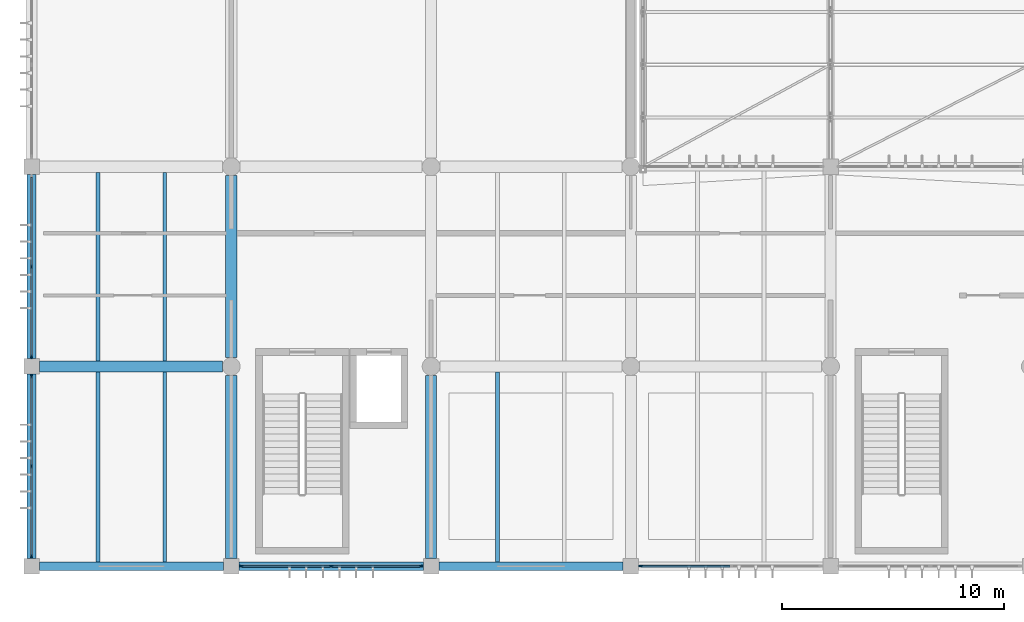
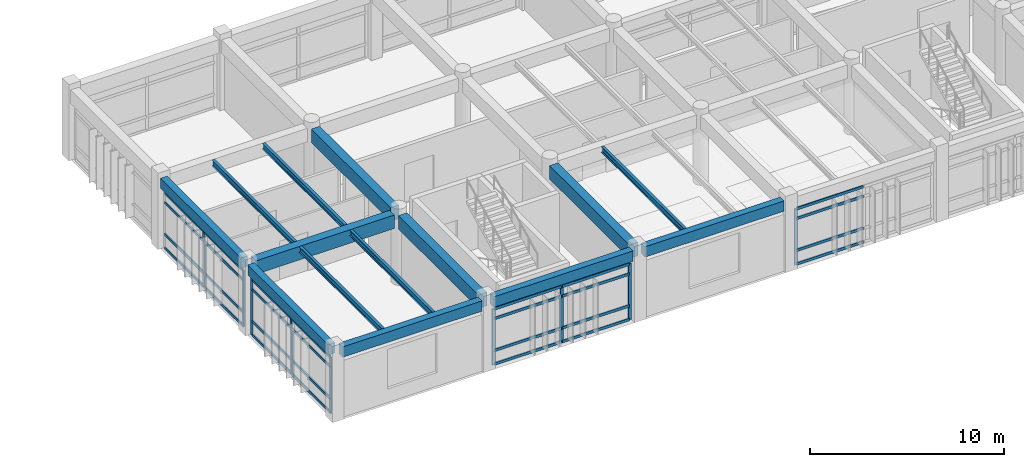
# One storey, part 13 of 90: 37 members, 14 beams, 4 elements without a shape of their own.
"""IFC4 building model written with IfcOpenShell, lengths in metres."""

from ifc_helpers import new_model, si_unit, direction, frame, origin, origin_2d, place, context, subcontext, project, spatial, rectangle, i_section, extrude, material, material_profile, profile_set, type_object, element, aggregate, save


model = new_model("IFC4")

# Units and contexts
model_context = context("Model", 3, precision=1e-05, world=origin(), true_north=direction((0.0, 1.0)))
body_context = subcontext(model_context, "Body", "Model", "MODEL_VIEW")
ifc_project = project(units=[si_unit("LENGTHUNIT", "METRE"), si_unit("AREAUNIT", "SQUARE_METRE"), si_unit("VOLUMEUNIT", "CUBIC_METRE"), si_unit("PLANEANGLEUNIT", "RADIAN"), si_unit("MASSUNIT", "GRAM", prefix="KILO")], contexts=[model_context])

# Site, building, storey
site_placement = place(None, origin())
site = spatial("IfcSite", under=ifc_project, at=site_placement, CompositionType="ELEMENT")
building_placement = place(site_placement, origin())
building = spatial("IfcBuilding", under=site, at=building_placement, Name="Bozkorgan Art Gallery", CompositionType="ELEMENT")
storey_placement = place(building_placement, frame((0.0, 0.0, 5.39990234375)))
storey = spatial("IfcBuildingStorey", under=building, at=storey_placement, Name="L01", CompositionType="ELEMENT", Elevation=5.39990234375)

# Beams
ifc_material_1 = material(Name="Concrete C35/45", Category="concrete")
ifc_material_profile_1 = material_profile(ifc_material_1, rectangle(XDim=0.5, YDim=0.85009765625, at=origin_2d()), Name="RC 500x850")
ifc_profile_set_1 = profile_set([ifc_material_profile_1], Name="Concrete C35/45")
beam_type_1 = type_object("IfcBeamType", Name="BEAM-BM-01", PredefinedType="BEAM", material=ifc_profile_set_1)
for number, where, z_axis, x_axis, name in (
    (1, (2.35009765625, 11.0, 4.01513671875), (1.0, 0.0, 0.0), (0.0, 1.0, 0.0), "V1 L01 beam X (2-11, 11.0)"),
    (2, (11.0, 2.35009765625, 4.01513671875), (0.0, 1.0, 0.0), (-1.0, 0.0, 0.0), "V1 L01 beam Y (11, 2.0-11.0)"),
):
    element("IfcBeam", number, at=place(storey_placement, frame(where, z_axis=z_axis, x_axis=x_axis)), inside=storey, type_object=beam_type_1, Name=name, PredefinedType="BEAM", context=body_context, shape_type="SweptSolid", body=[
        extrude(rectangle(XDim=0.5, YDim=0.85009765625, at=origin_2d()), origin(), (0.0, 0.0, 1.0), 8.25),
    ])
beam_1_placement = place(storey_placement, frame((11.0, 11.39990234375, 4.01513671875), z_axis=(0.0, 1.0, 0.0), x_axis=(-1.0, 0.0, 0.0)))
element("IfcBeam", 3, at=beam_1_placement, inside=storey, type_object=beam_type_1, Name="V1 L01 beam Y (11, 11.0-20.0)", PredefinedType="BEAM", context=body_context, shape_type="SweptSolid", body=[
    extrude(rectangle(XDim=0.5, YDim=0.85009765625, at=origin_2d()), origin(), (0.0, 0.0, 1.0), 8.2001953125),
])
beam_2_placement = place(storey_placement, frame((20.0, 2.35009765625, 4.01513671875), z_axis=(0.0, 1.0, 0.0), x_axis=(-1.0, 0.0, 0.0)))
element("IfcBeam", 4, at=beam_2_placement, inside=storey, type_object=beam_type_1, Name="V1 L01 beam Y (20, 2.0-11.0)", PredefinedType="BEAM", context=body_context, shape_type="SweptSolid", body=[
    extrude(rectangle(XDim=0.5, YDim=0.85009765625, at=origin_2d()), origin(), (0.0, 0.0, 1.0), 8.25),
])
ifc_material_2 = material(Name="Steel S355J2", Category="steel")
ifc_material_profile_2 = material_profile(ifc_material_2, i_section(OverallWidth=0.169921875, OverallDepth=0.360107421875, WebThickness=0.008056640625, FlangeThickness=0.0126953125, FilletRadius=0.01806640625, at=origin_2d()), Name="IPE 360")
ifc_profile_set_2 = profile_set([ifc_material_profile_2], Name="Steel S355J2")
beam_type_2 = type_object("IfcBeamType", Name="BEAM-JS-98", PredefinedType="JOIST", material=ifc_profile_set_2)
for number, where, z_axis, x_axis, name in (
    (5, (5.0, 2.199951171875, 4.260009765625), (0.0, 1.0, 0.0), (-1.0, 0.0, 0.0), "V1 L01 secondary joist (2-11, 2.0-11.0) #1"),
    (6, (8.0, 2.199951171875, 4.260009765625), (0.0, 1.0, 0.0), (-1.0, 0.0, 0.0), "V1 L01 secondary joist (2-11, 2.0-11.0) #2"),
):
    element("IfcBeam", number, at=place(storey_placement, frame(where, z_axis=z_axis, x_axis=x_axis)), inside=storey, type_object=beam_type_2, Name=name, PredefinedType="JOIST", context=body_context, shape_type="SweptSolid", body=[
        extrude(i_section(OverallWidth=0.169921875, OverallDepth=0.360107421875, WebThickness=0.008056640625, FlangeThickness=0.0126953125, FilletRadius=0.01806640625, at=origin_2d()), origin(), (0.0, 0.0, 1.0), 8.550048828125),
    ])
for number, where, z_axis, x_axis, name in (
    (7, (5.0, 11.25, 4.260009765625), (0.0, 1.0, 0.0), (-1.0, 0.0, 0.0), "V1 L01 secondary joist (2-11, 11.0-20.0) #1"),
    (8, (8.0, 11.25, 4.260009765625), (0.0, 1.0, 0.0), (-1.0, 0.0, 0.0), "V1 L01 secondary joist (2-11, 11.0-20.0) #2"),
):
    element("IfcBeam", number, at=place(storey_placement, frame(where, z_axis=z_axis, x_axis=x_axis)), inside=storey, type_object=beam_type_2, Name=name, PredefinedType="JOIST", context=body_context, shape_type="SweptSolid", body=[
        extrude(i_section(OverallWidth=0.169921875, OverallDepth=0.360107421875, WebThickness=0.008056640625, FlangeThickness=0.0126953125, FilletRadius=0.01806640625, at=origin_2d()), origin(), (0.0, 0.0, 1.0), 8.5),
    ])
beam_3_placement = place(storey_placement, frame((23.0, 2.199951171875, 4.260009765625), z_axis=(0.0, 1.0, 0.0), x_axis=(-1.0, 0.0, 0.0)))
element("IfcBeam", 9, at=beam_3_placement, inside=storey, type_object=beam_type_2, Name="V1 L01 secondary joist (20-29, 2.0-11.0) #1", PredefinedType="JOIST", context=body_context, shape_type="SweptSolid", body=[
    extrude(i_section(OverallWidth=0.169921875, OverallDepth=0.360107421875, WebThickness=0.008056640625, FlangeThickness=0.0126953125, FilletRadius=0.01806640625, at=origin_2d()), origin(), (0.0, 0.0, 1.0), 8.550048828125),
])
ifc_material_profile_3 = material_profile(ifc_material_1, rectangle(XDim=0.39990234375, YDim=0.64990234375, at=origin_2d()), Name="RC 400x650")
ifc_profile_set_3 = profile_set([ifc_material_profile_3], Name="Concrete C35/45")
beam_type_3 = type_object("IfcBeamType", Name="BEAM-SP-69", PredefinedType="SPANDREL", material=ifc_profile_set_3)
for number, where, z_axis, x_axis, name in (
    (10, (2.35009765625, 2.0, 4.114990234375), (1.0, 0.0, 0.0), (0.0, 1.0, 0.0), "V1 L01 spandrel X (2-11, 2.0)"),
    (11, (11.35009765625, 2.0, 4.114990234375), (1.0, 0.0, 0.0), (0.0, 1.0, 0.0), "V1 L01 spandrel X (11-20, 2.0)"),
    (12, (20.35009765625, 2.0, 4.114990234375), (1.0, 0.0, 0.0), (0.0, 1.0, 0.0), "V1 L01 spandrel X (20-29, 2.0)"),
    (13, (2.0, 2.35009765625, 4.114990234375), (0.0, 1.0, 0.0), (-1.0, 0.0, 0.0), "V1 L01 spandrel Y (2, 2.0-11.0)"),
    (14, (2.0, 11.35009765625, 4.114990234375), (0.0, 1.0, 0.0), (-1.0, 0.0, 0.0), "V1 L01 spandrel Y (2, 11.0-20.0)"),
):
    element("IfcBeam", number, at=place(storey_placement, frame(where, z_axis=z_axis, x_axis=x_axis)), inside=storey, type_object=beam_type_3, Name=name, PredefinedType="SPANDREL", context=body_context, shape_type="SweptSolid", body=[
        extrude(rectangle(XDim=0.39990234375, YDim=0.64990234375, at=origin_2d()), origin(), (0.0, 0.0, 1.0), 8.2998046875),
    ])

# Curtain wall, members
ifc_material_3 = material(Name="Anodised Bronze Aluminium", Category="aluminium")
curtain_wall_type = type_object("IfcCurtainWallType", Name="CW-CW-94", PredefinedType="NOTDEFINED", material=ifc_material_3)
curtain_wall_1_placement = place(storey_placement, origin())
curtain_wall_1 = element("IfcCurtainWall", 15, at=curtain_wall_1_placement, inside=storey, type_object=curtain_wall_type, Name="L01 unitised curtain wall CW-V1-L01-1S-02", PredefinedType="NOTDEFINED")
ifc_material_profile_4 = material_profile(ifc_material_3, rectangle(XDim=0.06494140625, YDim=0.179931640625, at=origin_2d()), Name="ALU MULLION 65x180")
ifc_profile_set_4 = profile_set([ifc_material_profile_4], Name="Anodised Bronze Aluminium")
member_type_1 = type_object("IfcMemberType", Name="CWM-01", PredefinedType="MULLION", material=ifc_profile_set_4)
member_1_placement = place(storey_placement, frame((11.447509765625, 2.0, 0.02001953125), z_axis=(0.0, 0.0, 1.0), x_axis=(0.0, 1.0, 0.0)))
member_1 = element("IfcMember", 16, at=member_1_placement, type_object=member_type_1, Name="CW-94 mullion 1", PredefinedType="MULLION", context=body_context, shape_type="SweptSolid", body=[
    extrude(rectangle(XDim=0.06494140625, YDim=0.179931640625, at=origin_2d()), origin(), (0.0, 0.0, 1.0), 3.55517578125),
])
member_2_placement = place(storey_placement, frame((15.5, 2.0, 0.02001953125), z_axis=(0.0, 0.0, 1.0), x_axis=(0.0, 1.0, 0.0)))
member_2 = element("IfcMember", 17, at=member_2_placement, type_object=member_type_1, Name="CW-94 mullion 2", PredefinedType="MULLION", context=body_context, shape_type="SweptSolid", body=[
    extrude(rectangle(XDim=0.06494140625, YDim=0.179931640625, at=origin_2d()), origin(), (0.0, 0.0, 1.0), 3.55517578125),
])
member_3_placement = place(storey_placement, frame((19.552490234375, 2.0, 0.02001953125), z_axis=(0.0, 0.0, 1.0), x_axis=(0.0, 1.0, 0.0)))
member_3 = element("IfcMember", 18, at=member_3_placement, type_object=member_type_1, Name="CW-94 mullion 3", PredefinedType="MULLION", context=body_context, shape_type="SweptSolid", body=[
    extrude(rectangle(XDim=0.06494140625, YDim=0.179931640625, at=origin_2d()), origin(), (0.0, 0.0, 1.0), 3.55517578125),
])

# Curtain wall, member
curtain_wall_2_placement = place(storey_placement, origin())
curtain_wall_2 = element("IfcCurtainWall", 19, at=curtain_wall_2_placement, inside=storey, type_object=curtain_wall_type, Name="L01 unitised curtain wall CW-V1-L01-1S-04", PredefinedType="NOTDEFINED")
member_4_placement = place(storey_placement, frame((29.447509765625, 2.0, 0.02001953125), z_axis=(0.0, 0.0, 1.0), x_axis=(0.0, 1.0, 0.0)))
member_4 = element("IfcMember", 20, at=member_4_placement, type_object=member_type_1, Name="CW-94 mullion 1", PredefinedType="MULLION", context=body_context, shape_type="SweptSolid", body=[
    extrude(rectangle(XDim=0.06494140625, YDim=0.179931640625, at=origin_2d()), origin(), (0.0, 0.0, 1.0), 3.55517578125),
])

# Curtain wall, members
curtain_wall_3_placement = place(storey_placement, origin())
curtain_wall_3 = element("IfcCurtainWall", 21, at=curtain_wall_3_placement, inside=storey, type_object=curtain_wall_type, Name="L01 unitised curtain wall CW-V1-L01-1W-12", PredefinedType="NOTDEFINED")
member_5_placement = place(storey_placement, frame((2.0, 2.447509765625, 0.02001953125), z_axis=(0.0, 0.0, 1.0), x_axis=(-1.0, 0.0, 0.0)))
member_5 = element("IfcMember", 22, at=member_5_placement, type_object=member_type_1, Name="CW-94 mullion 1", PredefinedType="MULLION", context=body_context, shape_type="SweptSolid", body=[
    extrude(rectangle(XDim=0.06494140625, YDim=0.179931640625, at=origin_2d()), origin(), (0.0, 0.0, 1.0), 3.55517578125),
])
member_6_placement = place(storey_placement, frame((2.0, 6.5, 0.02001953125), z_axis=(0.0, 0.0, 1.0), x_axis=(-1.0, 0.0, 0.0)))
member_6 = element("IfcMember", 23, at=member_6_placement, type_object=member_type_1, Name="CW-94 mullion 2", PredefinedType="MULLION", context=body_context, shape_type="SweptSolid", body=[
    extrude(rectangle(XDim=0.06494140625, YDim=0.179931640625, at=origin_2d()), origin(), (0.0, 0.0, 1.0), 3.55517578125),
])
member_7_placement = place(storey_placement, frame((2.0, 10.552490234375, 0.02001953125), z_axis=(0.0, 0.0, 1.0), x_axis=(-1.0, 0.0, 0.0)))
member_7 = element("IfcMember", 24, at=member_7_placement, type_object=member_type_1, Name="CW-94 mullion 3", PredefinedType="MULLION", context=body_context, shape_type="SweptSolid", body=[
    extrude(rectangle(XDim=0.06494140625, YDim=0.179931640625, at=origin_2d()), origin(), (0.0, 0.0, 1.0), 3.55517578125),
])

curtain_wall_4_placement = place(storey_placement, origin())
curtain_wall_4 = element("IfcCurtainWall", 25, at=curtain_wall_4_placement, inside=storey, type_object=curtain_wall_type, Name="L01 unitised curtain wall CW-V1-L01-1W-14", PredefinedType="NOTDEFINED")
member_8_placement = place(storey_placement, frame((2.0, 11.447509765625, 0.02001953125), z_axis=(0.0, 0.0, 1.0), x_axis=(-1.0, 0.0, 0.0)))
member_8 = element("IfcMember", 26, at=member_8_placement, type_object=member_type_1, Name="CW-94 mullion 1", PredefinedType="MULLION", context=body_context, shape_type="SweptSolid", body=[
    extrude(rectangle(XDim=0.06494140625, YDim=0.179931640625, at=origin_2d()), origin(), (0.0, 0.0, 1.0), 3.55517578125),
])
member_9_placement = place(storey_placement, frame((2.0, 15.5, 0.02001953125), z_axis=(0.0, 0.0, 1.0), x_axis=(-1.0, 0.0, 0.0)))
member_9 = element("IfcMember", 27, at=member_9_placement, type_object=member_type_1, Name="CW-94 mullion 2", PredefinedType="MULLION", context=body_context, shape_type="SweptSolid", body=[
    extrude(rectangle(XDim=0.06494140625, YDim=0.179931640625, at=origin_2d()), origin(), (0.0, 0.0, 1.0), 3.55517578125),
])

# Member
ifc_material_profile_5 = material_profile(ifc_material_3, rectangle(XDim=0.074951171875, YDim=0.169921875, at=origin_2d()), Name="ALU TRANSOM 75x170")
ifc_profile_set_5 = profile_set([ifc_material_profile_5], Name="Anodised Bronze Aluminium")
member_type_2 = type_object("IfcMemberType", Name="CWT-02", PredefinedType="USERDEFINED", material=ifc_profile_set_5)
member_10_placement = place(storey_placement, frame((11.47998046875, 2.0, 0.0576171875), z_axis=(1.0, 0.0, 0.0), x_axis=(0.0, 1.0, 0.0)))
member_10 = element("IfcMember", 28, at=member_10_placement, type_object=member_type_2, Name="CW-94 transom 1.1", ObjectType="TRANSOM", PredefinedType="USERDEFINED", context=body_context, shape_type="SweptSolid", body=[
    extrude(rectangle(XDim=0.074951171875, YDim=0.169921875, at=origin_2d()), origin(), (0.0, 0.0, 1.0), 3.987548828125),
])

member_11_placement = place(storey_placement, frame((11.47998046875, 2.0, 0.920166015625), z_axis=(1.0, 0.0, 0.0), x_axis=(0.0, 1.0, 0.0)))
member_11 = element("IfcMember", 29, at=member_11_placement, type_object=member_type_2, Name="CW-94 transom 1.2", ObjectType="TRANSOM", PredefinedType="USERDEFINED", context=body_context, shape_type="SweptSolid", body=[
    extrude(rectangle(XDim=0.074951171875, YDim=0.169921875, at=origin_2d()), origin(), (0.0, 0.0, 1.0), 3.987548828125),
])

member_12_placement = place(storey_placement, frame((11.47998046875, 2.0, 2.925048828125), z_axis=(1.0, 0.0, 0.0), x_axis=(0.0, 1.0, 0.0)))
member_12 = element("IfcMember", 30, at=member_12_placement, type_object=member_type_2, Name="CW-94 transom 1.3", ObjectType="TRANSOM", PredefinedType="USERDEFINED", context=body_context, shape_type="SweptSolid", body=[
    extrude(rectangle(XDim=0.074951171875, YDim=0.169921875, at=origin_2d()), origin(), (0.0, 0.0, 1.0), 3.987548828125),
])

member_13_placement = place(storey_placement, frame((11.47998046875, 2.0, 3.53759765625), z_axis=(1.0, 0.0, 0.0), x_axis=(0.0, 1.0, 0.0)))
member_13 = element("IfcMember", 31, at=member_13_placement, type_object=member_type_2, Name="CW-94 transom 1.4", ObjectType="TRANSOM", PredefinedType="USERDEFINED", context=body_context, shape_type="SweptSolid", body=[
    extrude(rectangle(XDim=0.074951171875, YDim=0.169921875, at=origin_2d()), origin(), (0.0, 0.0, 1.0), 3.987548828125),
])

member_14_placement = place(storey_placement, frame((15.532470703125, 2.0, 0.0576171875), z_axis=(1.0, 0.0, 0.0), x_axis=(0.0, 1.0, 0.0)))
member_14 = element("IfcMember", 32, at=member_14_placement, type_object=member_type_2, Name="CW-94 transom 2.1", ObjectType="TRANSOM", PredefinedType="USERDEFINED", context=body_context, shape_type="SweptSolid", body=[
    extrude(rectangle(XDim=0.074951171875, YDim=0.169921875, at=origin_2d()), origin(), (0.0, 0.0, 1.0), 3.987548828125),
])

member_15_placement = place(storey_placement, frame((15.532470703125, 2.0, 0.920166015625), z_axis=(1.0, 0.0, 0.0), x_axis=(0.0, 1.0, 0.0)))
member_15 = element("IfcMember", 33, at=member_15_placement, type_object=member_type_2, Name="CW-94 transom 2.2", ObjectType="TRANSOM", PredefinedType="USERDEFINED", context=body_context, shape_type="SweptSolid", body=[
    extrude(rectangle(XDim=0.074951171875, YDim=0.169921875, at=origin_2d()), origin(), (0.0, 0.0, 1.0), 3.987548828125),
])

member_16_placement = place(storey_placement, frame((15.532470703125, 2.0, 2.925048828125), z_axis=(1.0, 0.0, 0.0), x_axis=(0.0, 1.0, 0.0)))
member_16 = element("IfcMember", 34, at=member_16_placement, type_object=member_type_2, Name="CW-94 transom 2.3", ObjectType="TRANSOM", PredefinedType="USERDEFINED", context=body_context, shape_type="SweptSolid", body=[
    extrude(rectangle(XDim=0.074951171875, YDim=0.169921875, at=origin_2d()), origin(), (0.0, 0.0, 1.0), 3.987548828125),
])

member_17_placement = place(storey_placement, frame((15.532470703125, 2.0, 3.53759765625), z_axis=(1.0, 0.0, 0.0), x_axis=(0.0, 1.0, 0.0)))
member_17 = element("IfcMember", 35, at=member_17_placement, type_object=member_type_2, Name="CW-94 transom 2.4", ObjectType="TRANSOM", PredefinedType="USERDEFINED", context=body_context, shape_type="SweptSolid", body=[
    extrude(rectangle(XDim=0.074951171875, YDim=0.169921875, at=origin_2d()), origin(), (0.0, 0.0, 1.0), 3.987548828125),
])

aggregate(curtain_wall_1, [member_1, member_2, member_3, member_10, member_11, member_12, member_13, member_14, member_15, member_16, member_17])

member_18_placement = place(storey_placement, frame((29.47998046875, 2.0, 0.0576171875), z_axis=(1.0, 0.0, 0.0), x_axis=(0.0, 1.0, 0.0)))
member_18 = element("IfcMember", 36, at=member_18_placement, type_object=member_type_2, Name="CW-94 transom 1.1", ObjectType="TRANSOM", PredefinedType="USERDEFINED", context=body_context, shape_type="SweptSolid", body=[
    extrude(rectangle(XDim=0.074951171875, YDim=0.169921875, at=origin_2d()), origin(), (0.0, 0.0, 1.0), 3.987548828125),
])

member_19_placement = place(storey_placement, frame((29.47998046875, 2.0, 0.920166015625), z_axis=(1.0, 0.0, 0.0), x_axis=(0.0, 1.0, 0.0)))
member_19 = element("IfcMember", 37, at=member_19_placement, type_object=member_type_2, Name="CW-94 transom 1.2", ObjectType="TRANSOM", PredefinedType="USERDEFINED", context=body_context, shape_type="SweptSolid", body=[
    extrude(rectangle(XDim=0.074951171875, YDim=0.169921875, at=origin_2d()), origin(), (0.0, 0.0, 1.0), 3.987548828125),
])

member_20_placement = place(storey_placement, frame((29.47998046875, 2.0, 2.925048828125), z_axis=(1.0, 0.0, 0.0), x_axis=(0.0, 1.0, 0.0)))
member_20 = element("IfcMember", 38, at=member_20_placement, type_object=member_type_2, Name="CW-94 transom 1.3", ObjectType="TRANSOM", PredefinedType="USERDEFINED", context=body_context, shape_type="SweptSolid", body=[
    extrude(rectangle(XDim=0.074951171875, YDim=0.169921875, at=origin_2d()), origin(), (0.0, 0.0, 1.0), 3.987548828125),
])

member_21_placement = place(storey_placement, frame((29.47998046875, 2.0, 3.53759765625), z_axis=(1.0, 0.0, 0.0), x_axis=(0.0, 1.0, 0.0)))
member_21 = element("IfcMember", 39, at=member_21_placement, type_object=member_type_2, Name="CW-94 transom 1.4", ObjectType="TRANSOM", PredefinedType="USERDEFINED", context=body_context, shape_type="SweptSolid", body=[
    extrude(rectangle(XDim=0.074951171875, YDim=0.169921875, at=origin_2d()), origin(), (0.0, 0.0, 1.0), 3.987548828125),
])

aggregate(curtain_wall_2, [member_4, member_18, member_19, member_20, member_21])

member_22_placement = place(storey_placement, frame((2.0, 2.47998046875, 0.0576171875), z_axis=(0.0, 1.0, 0.0), x_axis=(-1.0, 0.0, 0.0)))
member_22 = element("IfcMember", 40, at=member_22_placement, type_object=member_type_2, Name="CW-94 transom 1.1", ObjectType="TRANSOM", PredefinedType="USERDEFINED", context=body_context, shape_type="SweptSolid", body=[
    extrude(rectangle(XDim=0.074951171875, YDim=0.169921875, at=origin_2d()), origin(), (0.0, 0.0, 1.0), 3.987548828125),
])

member_23_placement = place(storey_placement, frame((2.0, 2.47998046875, 0.920166015625), z_axis=(0.0, 1.0, 0.0), x_axis=(-1.0, 0.0, 0.0)))
member_23 = element("IfcMember", 41, at=member_23_placement, type_object=member_type_2, Name="CW-94 transom 1.2", ObjectType="TRANSOM", PredefinedType="USERDEFINED", context=body_context, shape_type="SweptSolid", body=[
    extrude(rectangle(XDim=0.074951171875, YDim=0.169921875, at=origin_2d()), origin(), (0.0, 0.0, 1.0), 3.987548828125),
])

member_24_placement = place(storey_placement, frame((2.0, 2.47998046875, 2.925048828125), z_axis=(0.0, 1.0, 0.0), x_axis=(-1.0, 0.0, 0.0)))
member_24 = element("IfcMember", 42, at=member_24_placement, type_object=member_type_2, Name="CW-94 transom 1.3", ObjectType="TRANSOM", PredefinedType="USERDEFINED", context=body_context, shape_type="SweptSolid", body=[
    extrude(rectangle(XDim=0.074951171875, YDim=0.169921875, at=origin_2d()), origin(), (0.0, 0.0, 1.0), 3.987548828125),
])

member_25_placement = place(storey_placement, frame((2.0, 2.47998046875, 3.53759765625), z_axis=(0.0, 1.0, 0.0), x_axis=(-1.0, 0.0, 0.0)))
member_25 = element("IfcMember", 43, at=member_25_placement, type_object=member_type_2, Name="CW-94 transom 1.4", ObjectType="TRANSOM", PredefinedType="USERDEFINED", context=body_context, shape_type="SweptSolid", body=[
    extrude(rectangle(XDim=0.074951171875, YDim=0.169921875, at=origin_2d()), origin(), (0.0, 0.0, 1.0), 3.987548828125),
])

member_26_placement = place(storey_placement, frame((2.0, 6.532470703125, 0.0576171875), z_axis=(0.0, 1.0, 0.0), x_axis=(-1.0, 0.0, 0.0)))
member_26 = element("IfcMember", 44, at=member_26_placement, type_object=member_type_2, Name="CW-94 transom 2.1", ObjectType="TRANSOM", PredefinedType="USERDEFINED", context=body_context, shape_type="SweptSolid", body=[
    extrude(rectangle(XDim=0.074951171875, YDim=0.169921875, at=origin_2d()), origin(), (0.0, 0.0, 1.0), 3.987548828125),
])

member_27_placement = place(storey_placement, frame((2.0, 6.532470703125, 0.920166015625), z_axis=(0.0, 1.0, 0.0), x_axis=(-1.0, 0.0, 0.0)))
member_27 = element("IfcMember", 45, at=member_27_placement, type_object=member_type_2, Name="CW-94 transom 2.2", ObjectType="TRANSOM", PredefinedType="USERDEFINED", context=body_context, shape_type="SweptSolid", body=[
    extrude(rectangle(XDim=0.074951171875, YDim=0.169921875, at=origin_2d()), origin(), (0.0, 0.0, 1.0), 3.987548828125),
])

member_28_placement = place(storey_placement, frame((2.0, 6.532470703125, 2.925048828125), z_axis=(0.0, 1.0, 0.0), x_axis=(-1.0, 0.0, 0.0)))
member_28 = element("IfcMember", 46, at=member_28_placement, type_object=member_type_2, Name="CW-94 transom 2.3", ObjectType="TRANSOM", PredefinedType="USERDEFINED", context=body_context, shape_type="SweptSolid", body=[
    extrude(rectangle(XDim=0.074951171875, YDim=0.169921875, at=origin_2d()), origin(), (0.0, 0.0, 1.0), 3.987548828125),
])

member_29_placement = place(storey_placement, frame((2.0, 6.532470703125, 3.53759765625), z_axis=(0.0, 1.0, 0.0), x_axis=(-1.0, 0.0, 0.0)))
member_29 = element("IfcMember", 47, at=member_29_placement, type_object=member_type_2, Name="CW-94 transom 2.4", ObjectType="TRANSOM", PredefinedType="USERDEFINED", context=body_context, shape_type="SweptSolid", body=[
    extrude(rectangle(XDim=0.074951171875, YDim=0.169921875, at=origin_2d()), origin(), (0.0, 0.0, 1.0), 3.987548828125),
])

aggregate(curtain_wall_3, [member_5, member_6, member_7, member_22, member_23, member_24, member_25, member_26, member_27, member_28, member_29])

member_30_placement = place(storey_placement, frame((2.0, 11.47998046875, 0.0576171875), z_axis=(0.0, 1.0, 0.0), x_axis=(-1.0, 0.0, 0.0)))
member_30 = element("IfcMember", 48, at=member_30_placement, type_object=member_type_2, Name="CW-94 transom 1.1", ObjectType="TRANSOM", PredefinedType="USERDEFINED", context=body_context, shape_type="SweptSolid", body=[
    extrude(rectangle(XDim=0.074951171875, YDim=0.169921875, at=origin_2d()), origin(), (0.0, 0.0, 1.0), 3.987548828125),
])

member_31_placement = place(storey_placement, frame((2.0, 11.47998046875, 0.920166015625), z_axis=(0.0, 1.0, 0.0), x_axis=(-1.0, 0.0, 0.0)))
member_31 = element("IfcMember", 49, at=member_31_placement, type_object=member_type_2, Name="CW-94 transom 1.2", ObjectType="TRANSOM", PredefinedType="USERDEFINED", context=body_context, shape_type="SweptSolid", body=[
    extrude(rectangle(XDim=0.074951171875, YDim=0.169921875, at=origin_2d()), origin(), (0.0, 0.0, 1.0), 3.987548828125),
])

member_32_placement = place(storey_placement, frame((2.0, 11.47998046875, 2.925048828125), z_axis=(0.0, 1.0, 0.0), x_axis=(-1.0, 0.0, 0.0)))
member_32 = element("IfcMember", 50, at=member_32_placement, type_object=member_type_2, Name="CW-94 transom 1.3", ObjectType="TRANSOM", PredefinedType="USERDEFINED", context=body_context, shape_type="SweptSolid", body=[
    extrude(rectangle(XDim=0.074951171875, YDim=0.169921875, at=origin_2d()), origin(), (0.0, 0.0, 1.0), 3.987548828125),
])

member_33_placement = place(storey_placement, frame((2.0, 11.47998046875, 3.53759765625), z_axis=(0.0, 1.0, 0.0), x_axis=(-1.0, 0.0, 0.0)))
member_33 = element("IfcMember", 51, at=member_33_placement, type_object=member_type_2, Name="CW-94 transom 1.4", ObjectType="TRANSOM", PredefinedType="USERDEFINED", context=body_context, shape_type="SweptSolid", body=[
    extrude(rectangle(XDim=0.074951171875, YDim=0.169921875, at=origin_2d()), origin(), (0.0, 0.0, 1.0), 3.987548828125),
])

member_34_placement = place(storey_placement, frame((2.0, 15.532470703125, 0.0576171875), z_axis=(0.0, 1.0, 0.0), x_axis=(-1.0, 0.0, 0.0)))
member_34 = element("IfcMember", 52, at=member_34_placement, type_object=member_type_2, Name="CW-94 transom 2.1", ObjectType="TRANSOM", PredefinedType="USERDEFINED", context=body_context, shape_type="SweptSolid", body=[
    extrude(rectangle(XDim=0.074951171875, YDim=0.169921875, at=origin_2d()), origin(), (0.0, 0.0, 1.0), 3.987548828125),
])

member_35_placement = place(storey_placement, frame((2.0, 15.532470703125, 0.920166015625), z_axis=(0.0, 1.0, 0.0), x_axis=(-1.0, 0.0, 0.0)))
member_35 = element("IfcMember", 53, at=member_35_placement, type_object=member_type_2, Name="CW-94 transom 2.2", ObjectType="TRANSOM", PredefinedType="USERDEFINED", context=body_context, shape_type="SweptSolid", body=[
    extrude(rectangle(XDim=0.074951171875, YDim=0.169921875, at=origin_2d()), origin(), (0.0, 0.0, 1.0), 3.987548828125),
])

member_36_placement = place(storey_placement, frame((2.0, 15.532470703125, 2.925048828125), z_axis=(0.0, 1.0, 0.0), x_axis=(-1.0, 0.0, 0.0)))
member_36 = element("IfcMember", 54, at=member_36_placement, type_object=member_type_2, Name="CW-94 transom 2.3", ObjectType="TRANSOM", PredefinedType="USERDEFINED", context=body_context, shape_type="SweptSolid", body=[
    extrude(rectangle(XDim=0.074951171875, YDim=0.169921875, at=origin_2d()), origin(), (0.0, 0.0, 1.0), 3.987548828125),
])

member_37_placement = place(storey_placement, frame((2.0, 15.532470703125, 3.53759765625), z_axis=(0.0, 1.0, 0.0), x_axis=(-1.0, 0.0, 0.0)))
member_37 = element("IfcMember", 55, at=member_37_placement, type_object=member_type_2, Name="CW-94 transom 2.4", ObjectType="TRANSOM", PredefinedType="USERDEFINED", context=body_context, shape_type="SweptSolid", body=[
    extrude(rectangle(XDim=0.074951171875, YDim=0.169921875, at=origin_2d()), origin(), (0.0, 0.0, 1.0), 3.987548828125),
])

aggregate(curtain_wall_4, [member_8, member_9, member_30, member_31, member_32, member_33, member_34, member_35, member_36, member_37])

save(model, "model.ifc")
